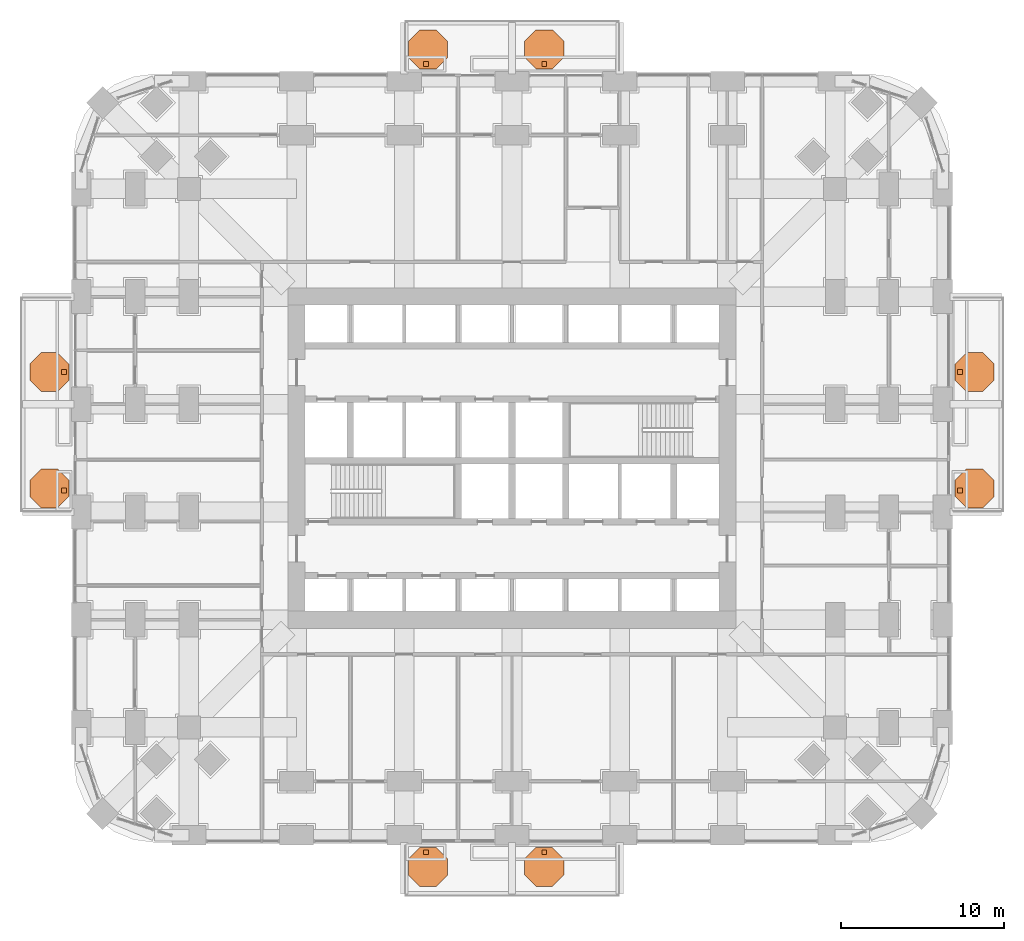
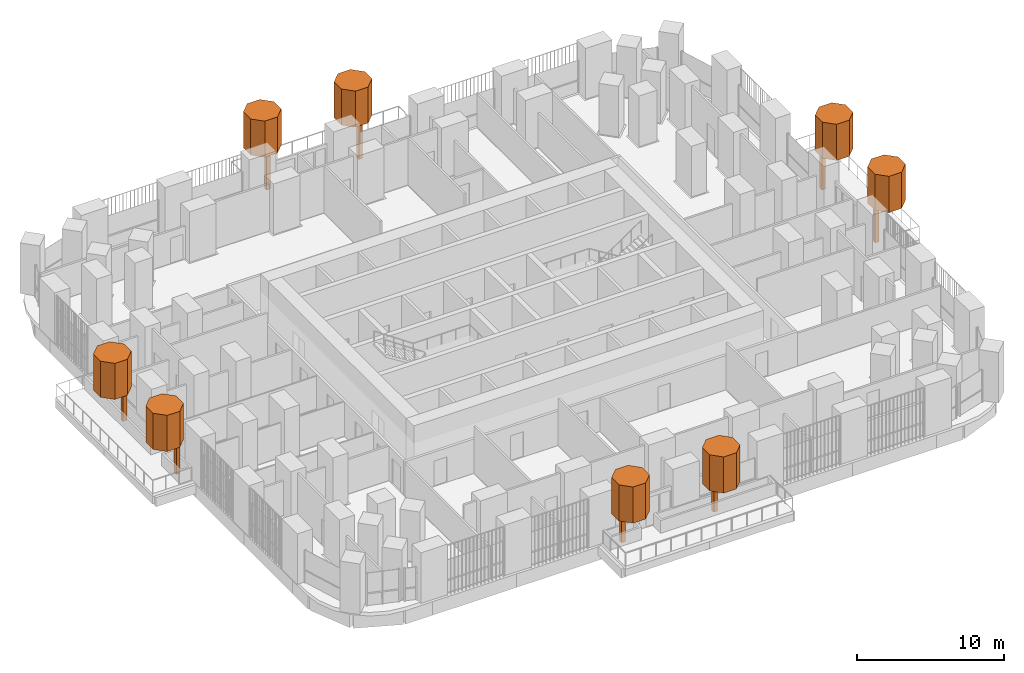
# One storey, part 26 of 26: 16 geographic elements.
"""IFC4 building model written with IfcOpenShell, lengths in metres."""

import ifcopenshell
import ifcopenshell.guid

model = None  # the IFC model being written
_history = None  # IfcOwnerHistory: only IFC2X3 demands one
_inside = {}  # id of a spatial element -> (the spatial element, [elements in it])
_under = {}  # id of a project, library or spatial element -> (it, [spatial elements below it])
_declared = {}  # id of a project -> (the project, [libraries it declares])
_typed = {}  # id of a type object -> (the type object, [elements of that type])
_made_of = {}  # id of a material, layer set ... -> (it, [elements and type objects made of it])


def new_model(schema):
    """Start an empty IFC model of exactly this schema.

    Asked for "IFC4X3", IfcOpenShell would pick the latest addendum, in which some entities
    have other attributes; the version numbers below select the first issue.
    IFC2X3 requires an IfcOwnerHistory on every rooted entity: one is made here for all.
    """
    global model, _history
    if schema == "IFC4X3":
        model = ifcopenshell.file(schema_version=(4, 3, 0, 0))
    else:
        model = ifcopenshell.file(schema=schema)
    _inside.clear()
    _under.clear()
    _declared.clear()
    _typed.clear()
    _made_of.clear()
    _history = None
    if model.schema == "IFC2X3":
        org = make("IfcOrganization", Name="unknown")
        user = make(
            "IfcPersonAndOrganization",
            ThePerson=make("IfcPerson", FamilyName="unknown"),
            TheOrganization=org,
        )
        app = make(
            "IfcApplication",
            ApplicationDeveloper=org,
            Version="unknown",
            ApplicationFullName="unknown",
            ApplicationIdentifier="unknown",
        )
        _history = make(
            "IfcOwnerHistory",
            OwningUser=user,
            OwningApplication=app,
            ChangeAction="ADDED",
            CreationDate=0,
        )
    return model


def make(cls, **values):
    """One entity of the class cls with the attributes given. An attribute that is None is left unset."""
    return model.create_entity(
        cls, **{name: value for name, value in values.items() if value is not None}
    )


def rooted(cls, **values):
    """An entity with a GlobalId (a new one), such as an element, a storey or a relation."""
    return make(cls, GlobalId=ifcopenshell.guid.new(), OwnerHistory=_history, **values)


def si_unit(unit_type, name, prefix=None):
    """IfcSIUnit, for example si_unit("LENGTHUNIT", "METRE", prefix="MILLI")."""
    return make("IfcSIUnit", UnitType=unit_type, Prefix=prefix, Name=name)


def assignment(units):
    """IfcUnitAssignment: the units of a project."""
    return None if units is None else make("IfcUnitAssignment", Units=units)


def point(xyz):
    """IfcCartesianPoint."""
    return None if xyz is None else make("IfcCartesianPoint", Coordinates=xyz)


def direction(xyz):
    """IfcDirection."""
    return None if xyz is None else make("IfcDirection", DirectionRatios=xyz)


def frame(location, z_axis=None, x_axis=None):
    """IfcAxis2Placement3D, a coordinate frame: its origin and axes. An axis left out is left unset."""
    return make(
        "IfcAxis2Placement3D",
        Location=point(location),
        Axis=direction(z_axis),
        RefDirection=direction(x_axis),
    )


def frame_2d(location, x_axis=None):
    """IfcAxis2Placement2D, a coordinate frame in the plane: its origin and x axis."""
    return make(
        "IfcAxis2Placement2D", Location=point(location), RefDirection=direction(x_axis)
    )


def origin():
    """The frame at (0, 0, 0) with its axes left unset."""
    return frame((0.0, 0.0, 0.0))


def origin_2d():
    """The frame at (0, 0) in the plane with its x axis left unset."""
    return frame_2d((0.0, 0.0))


def place(relative_to, where):
    """IfcLocalPlacement: puts the frame where relative to a parent placement (None: the world)."""
    return make(
        "IfcLocalPlacement", PlacementRelTo=relative_to, RelativePlacement=where
    )


def context(
    kind, dimensions, precision=None, world=None, true_north=None, identifier=None
):
    """IfcGeometricRepresentationContext, for example the 3D "Model" context."""
    return make(
        "IfcGeometricRepresentationContext",
        ContextIdentifier=identifier,
        ContextType=kind,
        CoordinateSpaceDimension=dimensions,
        Precision=precision,
        WorldCoordinateSystem=world,
        TrueNorth=true_north,
    )


def subcontext(parent, identifier, kind, view, scale=None):
    """IfcGeometricRepresentationSubContext, for example "Body" below "Model"."""
    return make(
        "IfcGeometricRepresentationSubContext",
        ContextIdentifier=identifier,
        ContextType=kind,
        ParentContext=parent,
        TargetScale=scale,
        TargetView=view,
    )


def project(units=None, contexts=None):
    """IfcProject with its units and contexts."""
    return rooted(
        "IfcProject",
        Name="project",
        RepresentationContexts=contexts,
        UnitsInContext=assignment(units),
    )


def spatial(cls, under=None, at=None, **own):
    """A site, building, storey or space (cls), placed at a placement, below another one or the project."""
    s = rooted(cls, ObjectPlacement=at, **own)
    if under is not None:
        _under.setdefault(under.id(), (under, []))[1].append(s)
    return s


def polyline(points):
    """IfcPolyline through the points."""
    return make("IfcPolyline", Points=[point(p) for p in points])


def profile(cls, at=None, kind="AREA", **sizes):
    """A parametric profile (cls). Its sizes go by their IFC names, for example OverallWidth=200.0."""
    return make(cls, ProfileType=kind, Position=at, **sizes)


def rectangle(**sizes):
    """IfcRectangleProfileDef."""
    return profile("IfcRectangleProfileDef", **sizes)


def outline(outer, holes=None, kind="AREA"):
    """IfcArbitraryClosedProfileDef: a profile drawn as a closed curve; with holes, ...WithVoids."""
    if holes is None:
        return make("IfcArbitraryClosedProfileDef", ProfileType=kind, OuterCurve=outer)
    return make(
        "IfcArbitraryProfileDefWithVoids",
        ProfileType=kind,
        OuterCurve=outer,
        InnerCurves=holes,
    )


def extrude(swept, where, along, depth):
    """IfcExtrudedAreaSolid: the profile swept, set in the frame where, extruded along a direction by depth."""
    return make(
        "IfcExtrudedAreaSolid",
        SweptArea=swept,
        Position=where,
        ExtrudedDirection=direction(along),
        Depth=depth,
    )


def shape(context_of_items, identifier, shape_type, items):
    """IfcShapeRepresentation: the items that make up one representation, for example the "Body"."""
    return make(
        "IfcShapeRepresentation",
        ContextOfItems=context_of_items,
        RepresentationIdentifier=identifier,
        RepresentationType=shape_type,
        Items=items,
    )


def material(Name=None, Category=None):
    """IfcMaterial."""
    return make("IfcMaterial", Name=Name, Category=Category)


def made_of(thing, what):
    """Note that an element or type object is made of a material, layer set ...; save() writes the relation."""
    if what is not None:
        _made_of.setdefault(what.id(), (what, []))[1].append(thing)
    return thing


def type_object(cls, material=None, **own):
    """A type object (cls), such as IfcWallType, which elements share."""
    return made_of(rooted(cls, **own), material)


def element(
    cls,
    number,
    at=None,
    inside=None,
    cuts=None,
    type_object=None,
    material=None,
    context=None,
    identifier="Body",
    shape_type=None,
    held_by="IfcProductDefinitionShape",
    body=None,
    shapes=None,
    **own,
):
    """One element of the class cls, such as IfcWall. Its Tag is "e" and its number.

    at: its placement. inside: the storey or other place that contains it. cuts: it is an
    opening in that element (IfcRelVoidsElement). A single representation is given by context,
    identifier, shape_type and body (its items); several are given by shapes. held_by: the class
    of the entity that holds the representations. save() writes the other relations.
    """
    e = rooted(cls, Tag="e%d" % number, ObjectPlacement=at, **own)
    if body is not None:
        shapes = [shape(context, identifier, shape_type, body)]
    if shapes is not None:
        e.Representation = make(held_by, Representations=shapes)
    if inside is not None:
        _inside.setdefault(inside.id(), (inside, []))[1].append(e)
    if cuts is not None:
        rooted(
            "IfcRelVoidsElement", RelatingBuildingElement=cuts, RelatedOpeningElement=e
        )
    if type_object is not None:
        _typed.setdefault(type_object.id(), (type_object, []))[1].append(e)
    return made_of(e, material)


def aggregate(whole, parts):
    """IfcRelAggregates: a whole, such as a stair, and the parts it consists of."""
    return rooted("IfcRelAggregates", RelatingObject=whole, RelatedObjects=parts)


def save(model, path):
    """Write the relations noted so far, then the file.

    IfcRelAggregates (storeys below a building ...), IfcRelContainedInSpatialStructure (elements
    in a storey), IfcRelDefinesByType, IfcRelAssociatesMaterial and IfcRelDeclares: one each for
    every whole, place, type object, material and project.
    """
    for whole, parts in _under.values():
        aggregate(whole, parts)
    for where, things in _inside.values():
        rooted(
            "IfcRelContainedInSpatialStructure",
            RelatedElements=things,
            RelatingStructure=where,
        )
    for kind, things in _typed.values():
        rooted("IfcRelDefinesByType", RelatedObjects=things, RelatingType=kind)
    for what, things in _made_of.values():
        rooted("IfcRelAssociatesMaterial", RelatedObjects=things, RelatingMaterial=what)
    for by, libraries in _declared.values():
        rooted("IfcRelDeclares", RelatingContext=by, RelatedDefinitions=libraries)
    model.write(path)


model = new_model("IFC4")

# Units and contexts
model_context = context("Model", 3, precision=1e-05, world=origin(), true_north=direction((0.0, 1.0)))
body_context = subcontext(model_context, "Body", "Model", "MODEL_VIEW")
ifc_project = project(units=[si_unit("LENGTHUNIT", "METRE"), si_unit("AREAUNIT", "SQUARE_METRE"), si_unit("VOLUMEUNIT", "CUBIC_METRE"), si_unit("PLANEANGLEUNIT", "RADIAN"), si_unit("MASSUNIT", "GRAM", prefix="KILO")], contexts=[model_context])

# Site, building, storey
site_placement = place(None, origin())
site = spatial("IfcSite", under=ifc_project, at=site_placement, CompositionType="ELEMENT")
building_placement = place(site_placement, origin())
building = spatial("IfcBuilding", under=site, at=building_placement, Name="Cobogo Forest Laboratory Tower", CompositionType="ELEMENT")
storey_placement = place(building_placement, frame((0.0, 0.0, 33.89990234375)))
storey = spatial("IfcBuildingStorey", under=building, at=storey_placement, Name="L07", CompositionType="ELEMENT", Elevation=33.89990234375)

# Geographic elements
ifc_material = material(Name="Planting", Category="plant")
geographic_element_type_1 = type_object("IfcGeographicElementType", Name="Tree trunk 300", PredefinedType="USERDEFINED", material=ifc_material)
for number, where, z_axis, x_axis, name in (
    (1, (21.125, -1.050048828125, 0.000244140625), (0.0, 0.0, 1.0), (1.0, 0.0, 0.0), "Tree trunk BAL-S1-PL1 L07"),
    (2, (28.375, -1.050048828125, 0.000244140625), (0.0, 0.0, 1.0), (1.0, 0.0, 0.0), "Tree trunk BAL-S1-PL2 L07"),
    (3, (53.85009765625, 21.125, 0.000244140625), (0.0, 0.0, 1.0), (1.0, 0.0, 0.0), "Tree trunk BAL-E1-PL1 L07"),
    (4, (53.85009765625, 28.375, 0.000244140625), (0.0, 0.0, 1.0), (1.0, 0.0, 0.0), "Tree trunk BAL-E1-PL2 L07"),
    (5, (21.125, 47.25, 0.000244140625), (0.0, 0.0, 1.0), (1.0, 0.0, 0.0), "Tree trunk BAL-N1-PL1 L07"),
    (6, (28.375, 47.25, 0.000244140625), (0.0, 0.0, 1.0), (1.0, 0.0, 0.0), "Tree trunk BAL-N1-PL2 L07"),
    (7, (-1.050048828125, 21.125, 0.000244140625), (0.0, 0.0, 1.0), (1.0, 0.0, 0.0), "Tree trunk BAL-W1-PL1 L07"),
    (8, (-1.050048828125, 28.375, 0.000244140625), (0.0, 0.0, 1.0), (1.0, 0.0, 0.0), "Tree trunk BAL-W1-PL2 L07"),
):
    element("IfcGeographicElement", number, at=place(storey_placement, frame(where, z_axis=z_axis, x_axis=x_axis)), inside=storey, type_object=geographic_element_type_1, Name=name, ObjectType="TREE TRUNK", PredefinedType="USERDEFINED", context=body_context, shape_type="SweptSolid", body=[
        extrude(rectangle(XDim=0.300048828125, YDim=0.300048828125, at=origin_2d()), origin(), (0.0, 0.0, 1.0), 2.89990234375),
    ])
geographic_element_type_2 = type_object("IfcGeographicElementType", Name="Tree, holm oak 5 m", PredefinedType="USERDEFINED", material=ifc_material)
geographic_element_1_placement = place(storey_placement, frame((0.0, 0.0, 2.900146484375)))
element("IfcGeographicElement", 9, at=geographic_element_1_placement, inside=storey, type_object=geographic_element_type_2, Name="Holm tree BAL-S1-PL1 L07", ObjectType="TREE", PredefinedType="USERDEFINED", context=body_context, shape_type="SweptSolid", body=[
    extrude(outline(polyline([(22.449951171875, -2.447021484375), (22.449951171875, -1.452880859375), (21.7470703125, -0.75), (20.7529296875, -0.75), (20.050048828125, -1.452880859375), (20.050048828125, -2.447021484375), (20.7529296875, -3.14990234375), (21.7470703125, -3.14990234375), (22.449951171875, -2.447021484375)])), origin(), (0.0, 0.0, 1.0), 3.0),
])
geographic_element_2_placement = place(storey_placement, frame((0.0, 0.0, 2.900146484375)))
element("IfcGeographicElement", 10, at=geographic_element_2_placement, inside=storey, type_object=geographic_element_type_2, Name="Holm tree BAL-S1-PL2 L07", ObjectType="TREE", PredefinedType="USERDEFINED", context=body_context, shape_type="SweptSolid", body=[
    extrude(outline(polyline([(29.574951171875, -2.447021484375), (29.574951171875, -1.452880859375), (28.8720703125, -0.75), (27.8779296875, -0.75), (27.175048828125, -1.452880859375), (27.175048828125, -2.447021484375), (27.8779296875, -3.14990234375), (28.8720703125, -3.14990234375), (29.574951171875, -2.447021484375)])), origin(), (0.0, 0.0, 1.0), 3.0),
])
geographic_element_3_placement = place(storey_placement, frame((0.0, 0.0, 2.900146484375)))
element("IfcGeographicElement", 11, at=geographic_element_3_placement, inside=storey, type_object=geographic_element_type_2, Name="Holm tree BAL-E1-PL1 L07", ObjectType="TREE", PredefinedType="USERDEFINED", context=body_context, shape_type="SweptSolid", body=[
    extrude(outline(polyline([(55.949951171875, 20.7529296875), (55.949951171875, 21.7470703125), (55.2470703125, 22.449951171875), (54.2529296875, 22.449951171875), (53.550048828125, 21.7470703125), (53.550048828125, 20.7529296875), (54.2529296875, 20.050048828125), (55.2470703125, 20.050048828125), (55.949951171875, 20.7529296875)])), origin(), (0.0, 0.0, 1.0), 3.0),
])
geographic_element_4_placement = place(storey_placement, frame((0.0, 0.0, 2.900146484375)))
element("IfcGeographicElement", 12, at=geographic_element_4_placement, inside=storey, type_object=geographic_element_type_2, Name="Holm tree BAL-E1-PL2 L07", ObjectType="TREE", PredefinedType="USERDEFINED", context=body_context, shape_type="SweptSolid", body=[
    extrude(outline(polyline([(55.949951171875, 27.8779296875), (55.949951171875, 28.8720703125), (55.2470703125, 29.574951171875), (54.2529296875, 29.574951171875), (53.550048828125, 28.8720703125), (53.550048828125, 27.8779296875), (54.2529296875, 27.175048828125), (55.2470703125, 27.175048828125), (55.949951171875, 27.8779296875)])), origin(), (0.0, 0.0, 1.0), 3.0),
])
geographic_element_5_placement = place(storey_placement, frame((0.0, 0.0, 2.900146484375)))
element("IfcGeographicElement", 13, at=geographic_element_5_placement, inside=storey, type_object=geographic_element_type_2, Name="Holm tree BAL-N1-PL1 L07", ObjectType="TREE", PredefinedType="USERDEFINED", context=body_context, shape_type="SweptSolid", body=[
    extrude(outline(polyline([(22.449951171875, 47.65283203125), (22.449951171875, 48.64697265625), (21.7470703125, 49.35009765625), (20.7529296875, 49.35009765625), (20.050048828125, 48.64697265625), (20.050048828125, 47.65283203125), (20.7529296875, 46.949951171875), (21.7470703125, 46.949951171875), (22.449951171875, 47.65283203125)])), origin(), (0.0, 0.0, 1.0), 3.0),
])
geographic_element_6_placement = place(storey_placement, frame((0.0, 0.0, 2.900146484375)))
element("IfcGeographicElement", 14, at=geographic_element_6_placement, inside=storey, type_object=geographic_element_type_2, Name="Holm tree BAL-N1-PL2 L07", ObjectType="TREE", PredefinedType="USERDEFINED", context=body_context, shape_type="SweptSolid", body=[
    extrude(outline(polyline([(29.574951171875, 47.65283203125), (29.574951171875, 48.64697265625), (28.8720703125, 49.35009765625), (27.8779296875, 49.35009765625), (27.175048828125, 48.64697265625), (27.175048828125, 47.65283203125), (27.8779296875, 46.949951171875), (28.8720703125, 46.949951171875), (29.574951171875, 47.65283203125)])), origin(), (0.0, 0.0, 1.0), 3.0),
])
geographic_element_7_placement = place(storey_placement, frame((0.0, 0.0, 2.900146484375)))
element("IfcGeographicElement", 15, at=geographic_element_7_placement, inside=storey, type_object=geographic_element_type_2, Name="Holm tree BAL-W1-PL1 L07", ObjectType="TREE", PredefinedType="USERDEFINED", context=body_context, shape_type="SweptSolid", body=[
    extrude(outline(polyline([(-0.75, 20.7529296875), (-0.75, 21.7470703125), (-1.452880859375, 22.449951171875), (-2.447021484375, 22.449951171875), (-3.14990234375, 21.7470703125), (-3.14990234375, 20.7529296875), (-2.447021484375, 20.050048828125), (-1.452880859375, 20.050048828125), (-0.75, 20.7529296875)])), origin(), (0.0, 0.0, 1.0), 3.0),
])
geographic_element_8_placement = place(storey_placement, frame((0.0, 0.0, 2.900146484375)))
element("IfcGeographicElement", 16, at=geographic_element_8_placement, inside=storey, type_object=geographic_element_type_2, Name="Holm tree BAL-W1-PL2 L07", ObjectType="TREE", PredefinedType="USERDEFINED", context=body_context, shape_type="SweptSolid", body=[
    extrude(outline(polyline([(-0.75, 27.8779296875), (-0.75, 28.8720703125), (-1.452880859375, 29.574951171875), (-2.447021484375, 29.574951171875), (-3.14990234375, 28.8720703125), (-3.14990234375, 27.8779296875), (-2.447021484375, 27.175048828125), (-1.452880859375, 27.175048828125), (-0.75, 27.8779296875)])), origin(), (0.0, 0.0, 1.0), 3.0),
])

save(model, "model.ifc")
